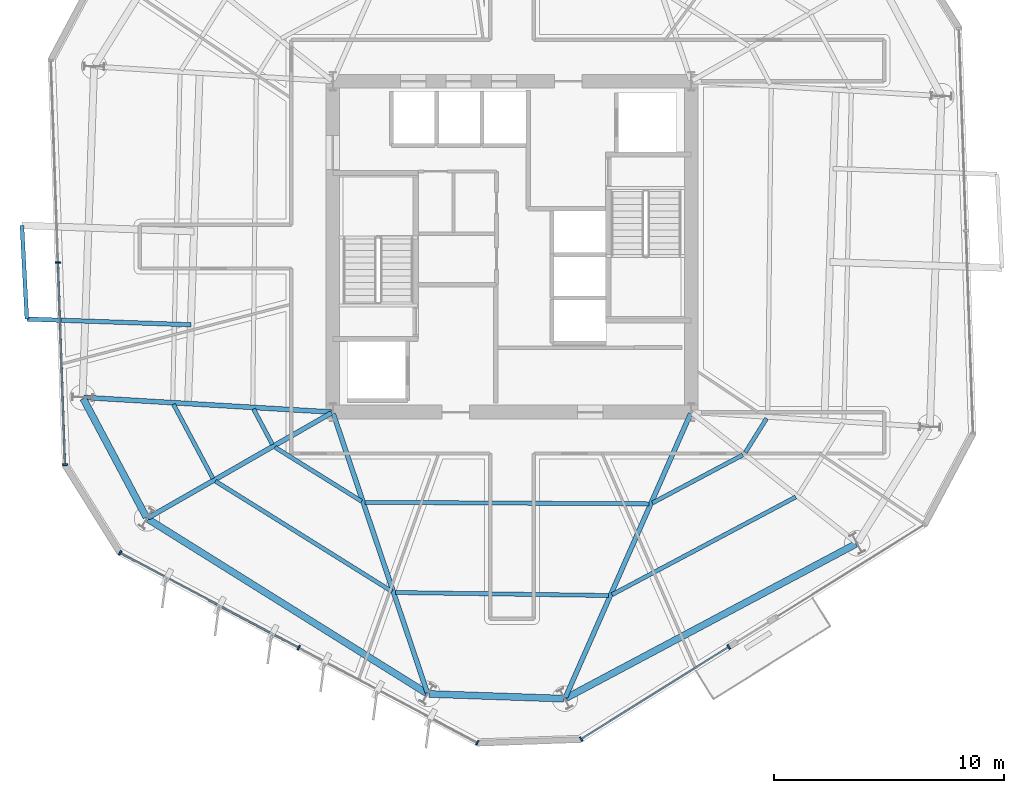
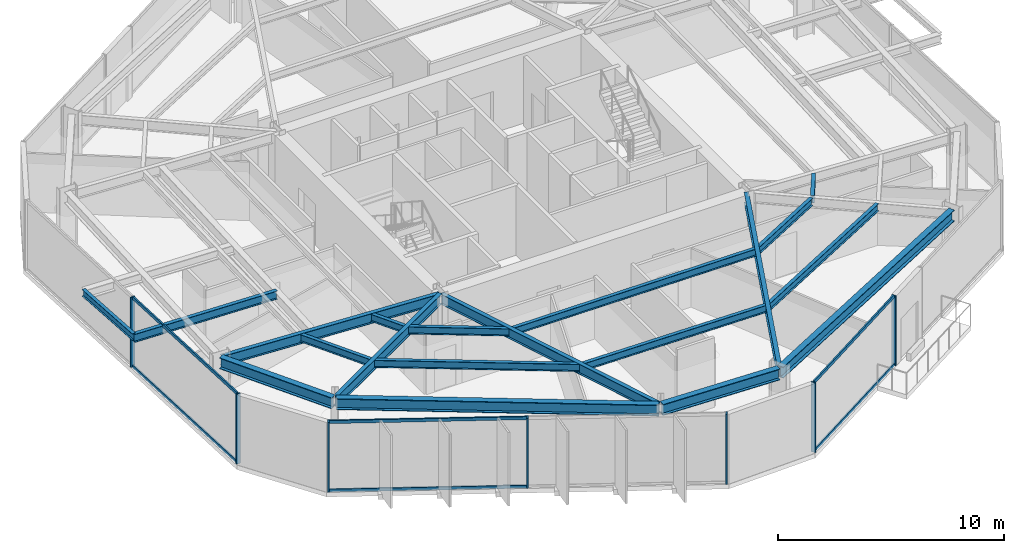
# One storey, part 2 of 12: 19 beams, 13 members, 3 elements without a shape of their own.
"""IFC4 building model written with IfcOpenShell, lengths in metres."""

from ifc_helpers import new_model, si_unit, direction, frame, origin, origin_2d, place, context, subcontext, project, spatial, rectangle, i_section, extrude, material, layer, layer_set, material_profile, profile_set, type_object, element, aggregate, save


model = new_model("IFC4")

# Units and contexts
model_context = context("Model", 3, precision=1e-05, world=origin(), true_north=direction((0.0, 1.0)))
body_context = subcontext(model_context, "Body", "Model", "MODEL_VIEW")
ifc_project = project(units=[si_unit("LENGTHUNIT", "METRE"), si_unit("AREAUNIT", "SQUARE_METRE"), si_unit("VOLUMEUNIT", "CUBIC_METRE"), si_unit("PLANEANGLEUNIT", "RADIAN"), si_unit("MASSUNIT", "GRAM", prefix="KILO")], contexts=[model_context])

# Site, building, storey
site_placement = place(None, origin())
site = spatial("IfcSite", under=ifc_project, at=site_placement, CompositionType="ELEMENT")
building_placement = place(site_placement, origin())
building = spatial("IfcBuilding", under=site, at=building_placement, Name="Kranzbogen Civic Tower", CompositionType="ELEMENT")
storey_placement = place(building_placement, frame((0.0, 0.0, 150.39990234375)))
storey = spatial("IfcBuildingStorey", under=building, at=storey_placement, Name="L36", CompositionType="ELEMENT", Elevation=150.39990234375)

# Beam
ifc_material_1 = material(Name="Steel S355", Category="steel")
ifc_material_profile_1 = material_profile(ifc_material_1, i_section(OverallWidth=0.18994140625, OverallDepth=0.449951171875, WebThickness=0.009521484375, FlangeThickness=0.0146484375, at=origin_2d()), Name="IPE 450")
ifc_profile_set_1 = profile_set([ifc_material_profile_1], Name="Steel S355")
beam_type_1 = type_object("IfcBeamType", Name="Braced Terrace Edge Beam IPE 450", PredefinedType="BEAM", material=ifc_profile_set_1)
beam_1_placement = place(storey_placement, frame((11.02197265625, 21.60205078125, 3.525146484375), z_axis=(-0.99939166053, 0.034875619889, 0.0), x_axis=(-0.034875619889, -0.99939166053, 0.0)))
element("IfcBeam", 1, at=beam_1_placement, inside=storey, type_object=beam_type_1, Name="L37 back-spanned terrace beam L37-TB1-2", PredefinedType="BEAM", context=body_context, shape_type="SweptSolid", body=[
    extrude(i_section(OverallWidth=0.18994140625, OverallDepth=0.449951171875, WebThickness=0.009521484375, FlangeThickness=0.0146484375, at=origin_2d()), origin(), (0.0, 0.0, 1.0), 7.140380859375),
])

# Curtain wall, members
ifc_material_2 = material(Name="Pale Anodised Aluminium", Category="aluminium")
ifc_layer = layer(ifc_material_2, 0.219970703125, Name="Pale Anodised Aluminium")
ifc_layer_set = layer_set([ifc_layer], Name="Pale Anodised Aluminium")
curtain_wall_type = type_object("IfcCurtainWallType", Name="Zone 2 Stick Curtain Wall System CW-03", PredefinedType="USERDEFINED", material=ifc_layer_set)
curtain_wall_1_placement = place(storey_placement, origin())
curtain_wall_1 = element("IfcCurtainWall", 2, at=curtain_wall_1_placement, inside=storey, type_object=curtain_wall_type, Name="L36 curtain wall CW-L36-F3", ObjectType="STICK CURTAIN WALL", PredefinedType="USERDEFINED")
ifc_material_profile_2 = material_profile(ifc_material_2, rectangle(XDim=0.074951171875, YDim=0.219970703125, at=origin_2d()), Name="ALU-M 75x220")
ifc_profile_set_2 = profile_set([ifc_material_profile_2], Name="Pale Anodised Aluminium")
member_type_1 = type_object("IfcMemberType", Name="Curtain Wall Mullion ALU-M 75x220", PredefinedType="MULLION", material=ifc_profile_set_2)
member_1_placement = place(storey_placement, frame((5.239990234375, 24.31005859375, 0.0), z_axis=(0.0, 0.0, 1.0), x_axis=(0.034867774782, -0.999391934269, 0.0)))
member_1 = element("IfcMember", 3, at=member_1_placement, type_object=member_type_1, Name="CW-03 mullion 2", PredefinedType="MULLION", context=body_context, shape_type="SweptSolid", body=[
    extrude(rectangle(XDim=0.074951171875, YDim=0.219970703125, at=origin_2d()), origin(), (0.0, 0.0, 1.0), 3.760009765625),
])
member_2_placement = place(storey_placement, frame((5.546875, 15.511962890625, 0.0), z_axis=(0.0, 0.0, 1.0), x_axis=(0.034867774782, -0.999391934269, 0.0)))
member_2 = element("IfcMember", 4, at=member_2_placement, type_object=member_type_1, Name="CW-03 mullion 3", PredefinedType="MULLION", context=body_context, shape_type="SweptSolid", body=[
    extrude(rectangle(XDim=0.074951171875, YDim=0.219970703125, at=origin_2d()), origin(), (0.0, 0.0, 1.0), 3.760009765625),
])

curtain_wall_2_placement = place(storey_placement, origin())
curtain_wall_2 = element("IfcCurtainWall", 5, at=curtain_wall_2_placement, inside=storey, type_object=curtain_wall_type, Name="L36 curtain wall CW-L36-F4", ObjectType="STICK CURTAIN WALL", PredefinedType="USERDEFINED")
member_3_placement = place(storey_placement, frame((7.943603515625, 11.676025390625, 0.0), z_axis=(0.0, 0.0, 1.0), x_axis=(0.882952257691, -0.469462789408, 0.0)))
member_3 = element("IfcMember", 6, at=member_3_placement, type_object=member_type_1, Name="CW-03 mullion 1", PredefinedType="MULLION", context=body_context, shape_type="SweptSolid", body=[
    extrude(rectangle(XDim=0.074951171875, YDim=0.219970703125, at=origin_2d()), origin(), (0.0, 0.0, 1.0), 3.760009765625),
])
member_4_placement = place(storey_placement, frame((15.717529296875, 7.54248046875, 0.0), z_axis=(0.0, 0.0, 1.0), x_axis=(0.882952257691, -0.469462789408, 0.0)))
member_4 = element("IfcMember", 7, at=member_4_placement, type_object=member_type_1, Name="CW-03 mullion 2", PredefinedType="MULLION", context=body_context, shape_type="SweptSolid", body=[
    extrude(rectangle(XDim=0.074951171875, YDim=0.219970703125, at=origin_2d()), origin(), (0.0, 0.0, 1.0), 3.760009765625),
])
member_5_placement = place(storey_placement, frame((23.491455078125, 3.4091796875, 0.0), z_axis=(0.0, 0.0, 1.0), x_axis=(0.882952257691, -0.469462789408, 0.0)))
member_5 = element("IfcMember", 8, at=member_5_placement, type_object=member_type_1, Name="CW-03 mullion 3", PredefinedType="MULLION", context=body_context, shape_type="SweptSolid", body=[
    extrude(rectangle(XDim=0.074951171875, YDim=0.219970703125, at=origin_2d()), origin(), (0.0, 0.0, 1.0), 3.760009765625),
])

curtain_wall_3_placement = place(storey_placement, origin())
curtain_wall_3 = element("IfcCurtainWall", 9, at=curtain_wall_3_placement, inside=storey, type_object=curtain_wall_type, Name="L36 curtain wall CW-L36-F5-S1", ObjectType="STICK CURTAIN WALL", PredefinedType="USERDEFINED")
member_6_placement = place(storey_placement, frame((28.011474609375, 3.56689453125, 0.0), z_axis=(0.0, 0.0, 1.0), x_axis=(0.84810866373, 0.529822323525, 0.0)))
member_6 = element("IfcMember", 10, at=member_6_placement, type_object=member_type_1, Name="CW-03 mullion 1", PredefinedType="MULLION", context=body_context, shape_type="SweptSolid", body=[
    extrude(rectangle(XDim=0.074951171875, YDim=0.219970703125, at=origin_2d()), origin(), (0.0, 0.0, 1.0), 3.760009765625),
])
member_7_placement = place(storey_placement, frame((34.435546875, 7.580078125, 0.0), z_axis=(0.0, 0.0, 1.0), x_axis=(0.84810866373, 0.529822323525, 0.0)))
member_7 = element("IfcMember", 11, at=member_7_placement, type_object=member_type_1, Name="CW-03 mullion 2", PredefinedType="MULLION", context=body_context, shape_type="SweptSolid", body=[
    extrude(rectangle(XDim=0.074951171875, YDim=0.219970703125, at=origin_2d()), origin(), (0.0, 0.0, 1.0), 3.760009765625),
])

# Member
ifc_material_profile_3 = material_profile(ifc_material_2, rectangle(XDim=0.074951171875, YDim=0.1650390625, at=origin_2d()), Name="ALU-T 75x165")
ifc_profile_set_3 = profile_set([ifc_material_profile_3], Name="Pale Anodised Aluminium")
member_type_2 = type_object("IfcMemberType", Name="Curtain Wall Transom ALU-T 75x165", PredefinedType="USERDEFINED", material=ifc_profile_set_3)
member_8_placement = place(storey_placement, frame((5.240966796875, 24.280029296875, 0.030029296875), z_axis=(0.034875811675, -0.999391653837, 0.0), x_axis=(0.999391653837, 0.034875811675, 0.0)))
member_8 = element("IfcMember", 12, at=member_8_placement, type_object=member_type_2, Name="CW-03 transom 2.1", ObjectType="TRANSOM", PredefinedType="USERDEFINED", context=body_context, shape_type="SweptSolid", body=[
    extrude(rectangle(XDim=0.074951171875, YDim=0.1650390625, at=origin_2d()), origin(), (0.0, 0.0, 1.0), 8.743408203125),
])

member_9_placement = place(storey_placement, frame((5.240966796875, 24.280029296875, 3.72998046875), z_axis=(0.034875811675, -0.999391653837, 0.0), x_axis=(0.999391653837, 0.034875811675, 0.0)))
member_9 = element("IfcMember", 13, at=member_9_placement, type_object=member_type_2, Name="CW-03 transom 2.2", ObjectType="TRANSOM", PredefinedType="USERDEFINED", context=body_context, shape_type="SweptSolid", body=[
    extrude(rectangle(XDim=0.074951171875, YDim=0.1650390625, at=origin_2d()), origin(), (0.0, 0.0, 1.0), 8.743408203125),
])

aggregate(curtain_wall_1, [member_1, member_2, member_8, member_9])

member_10_placement = place(storey_placement, frame((7.969970703125, 11.661865234375, 0.030029296875), z_axis=(0.882951189484, -0.469464798456, 0.0), x_axis=(0.469464798456, 0.882951189484, 0.0)))
member_10 = element("IfcMember", 14, at=member_10_placement, type_object=member_type_2, Name="CW-03 transom 1.1", ObjectType="TRANSOM", PredefinedType="USERDEFINED", context=body_context, shape_type="SweptSolid", body=[
    extrude(rectangle(XDim=0.074951171875, YDim=0.1650390625, at=origin_2d()), origin(), (0.0, 0.0, 1.0), 8.744384765625),
])

member_11_placement = place(storey_placement, frame((7.969970703125, 11.661865234375, 3.72998046875), z_axis=(0.882951189484, -0.469464798456, 0.0), x_axis=(0.469464798456, 0.882951189484, 0.0)))
member_11 = element("IfcMember", 15, at=member_11_placement, type_object=member_type_2, Name="CW-03 transom 1.2", ObjectType="TRANSOM", PredefinedType="USERDEFINED", context=body_context, shape_type="SweptSolid", body=[
    extrude(rectangle(XDim=0.074951171875, YDim=0.1650390625, at=origin_2d()), origin(), (0.0, 0.0, 1.0), 8.744384765625),
])

aggregate(curtain_wall_2, [member_3, member_4, member_5, member_10, member_11])

member_12_placement = place(storey_placement, frame((28.036865234375, 3.582763671875, 0.030029296875), z_axis=(0.848109621938, 0.529820789679, 0.0), x_axis=(-0.529820789679, 0.848109621938, 0.0)))
member_12 = element("IfcMember", 16, at=member_12_placement, type_object=member_type_2, Name="CW-03 transom 1.1", ObjectType="TRANSOM", PredefinedType="USERDEFINED", context=body_context, shape_type="SweptSolid", body=[
    extrude(rectangle(XDim=0.074951171875, YDim=0.1650390625, at=origin_2d()), origin(), (0.0, 0.0, 1.0), 7.5146484375),
])

member_13_placement = place(storey_placement, frame((28.036865234375, 3.582763671875, 3.72998046875), z_axis=(0.848109621938, 0.529820789679, 0.0), x_axis=(-0.529820789679, 0.848109621938, 0.0)))
member_13 = element("IfcMember", 17, at=member_13_placement, type_object=member_type_2, Name="CW-03 transom 1.2", ObjectType="TRANSOM", PredefinedType="USERDEFINED", context=body_context, shape_type="SweptSolid", body=[
    extrude(rectangle(XDim=0.074951171875, YDim=0.1650390625, at=origin_2d()), origin(), (0.0, 0.0, 1.0), 7.5146484375),
])

aggregate(curtain_wall_3, [member_6, member_7, member_12, member_13])

# Beams
ifc_material_profile_4 = material_profile(ifc_material_1, i_section(OverallWidth=0.300048828125, OverallDepth=0.60009765625, WebThickness=0.015380859375, FlangeThickness=0.030029296875, at=origin_2d()), Name="HEB 600")
ifc_profile_set_4 = profile_set([ifc_material_profile_4], Name="Steel S355")
beam_type_2 = type_object("IfcBeamType", Name="Perimeter Tube Spandrel Beam HEB 600", PredefinedType="SPANDREL", material=ifc_profile_set_4)
beam_2_placement = place(storey_placement, frame((6.337890625, 18.39111328125, 3.460205078125), z_axis=(0.469565926668, -0.882897412224, 0.0), x_axis=(0.882897412224, 0.469565926668, 0.0)))
element("IfcBeam", 18, at=beam_2_placement, inside=storey, type_object=beam_type_2, Name="L36 perimeter spandrel beam 01", PredefinedType="SPANDREL", context=body_context, shape_type="SweptSolid", body=[
    extrude(i_section(OverallWidth=0.300048828125, OverallDepth=0.60009765625, WebThickness=0.015380859375, FlangeThickness=0.030029296875, at=origin_2d()), origin(), (0.0, 0.0, 1.0), 5.852294921875),
])
beam_3_placement = place(storey_placement, frame((9.1650390625, 13.138916015625, 3.460205078125), z_axis=(0.848051101349, -0.52991445489, 0.0), x_axis=(0.52991445489, 0.848051101349, 0.0)))
element("IfcBeam", 19, at=beam_3_placement, inside=storey, type_object=beam_type_2, Name="L36 perimeter spandrel beam 02", PredefinedType="SPANDREL", context=body_context, shape_type="SweptSolid", body=[
    extrude(i_section(OverallWidth=0.300048828125, OverallDepth=0.60009765625, WebThickness=0.015380859375, FlangeThickness=0.030029296875, at=origin_2d()), origin(), (0.0, 0.0, 1.0), 14.286865234375),
])
beam_4_placement = place(storey_placement, frame((21.39208984375, 5.533935546875, 3.460205078125), z_axis=(0.999393148233, -0.03483296234, 0.0), x_axis=(0.03483296234, 0.999393148233, 0.0)))
element("IfcBeam", 20, at=beam_4_placement, inside=storey, type_object=beam_type_2, Name="L36 perimeter spandrel beam 03", PredefinedType="SPANDREL", context=body_context, shape_type="SweptSolid", body=[
    extrude(i_section(OverallWidth=0.300048828125, OverallDepth=0.60009765625, WebThickness=0.015380859375, FlangeThickness=0.030029296875, at=origin_2d()), origin(), (0.0, 0.0, 1.0), 5.8525390625),
])
beam_5_placement = place(storey_placement, frame((27.35400390625, 5.35595703125, 3.460205078125), z_axis=(0.882948194046, 0.469470432116, 0.0), x_axis=(-0.469470432116, 0.882948194046, 0.0)))
element("IfcBeam", 21, at=beam_5_placement, inside=storey, type_object=beam_type_2, Name="L36 perimeter spandrel beam 04", PredefinedType="SPANDREL", context=body_context, shape_type="SweptSolid", body=[
    extrude(i_section(OverallWidth=0.300048828125, OverallDepth=0.60009765625, WebThickness=0.015380859375, FlangeThickness=0.030029296875, at=origin_2d()), origin(), (0.0, 0.0, 1.0), 14.28857421875),
])
ifc_material_profile_5 = material_profile(ifc_material_1, i_section(OverallWidth=0.2099609375, OverallDepth=0.550048828125, WebThickness=0.010986328125, FlangeThickness=0.01708984375, at=origin_2d()), Name="IPE 550")
ifc_profile_set_5 = profile_set([ifc_material_profile_5], Name="Steel S355")
beam_type_3 = type_object("IfcBeamType", Name="Radial Tower Floor Girder IPE 550", PredefinedType="BEAM", material=ifc_profile_set_5)
beam_6_placement = place(storey_placement, frame((6.3701171875, 18.43994140625, 3.485107421875), z_axis=(0.998260925387, -0.058950189528, 0.0), x_axis=(0.058950189528, 0.998260925387, 0.0)))
element("IfcBeam", 22, at=beam_6_placement, inside=storey, type_object=beam_type_3, Name="L36 radial floor girder 01", PredefinedType="BEAM", context=body_context, shape_type="SweptSolid", body=[
    extrude(i_section(OverallWidth=0.2099609375, OverallDepth=0.550048828125, WebThickness=0.010986328125, FlangeThickness=0.01708984375, at=origin_2d()), origin(), (0.0, 0.0, 1.0), 10.78857421875),
])
beam_7_placement = place(storey_placement, frame((9.166015625, 13.200927734375, 3.485107421875), z_axis=(0.867868812182, 0.496793442833, 0.0), x_axis=(-0.496793442833, 0.867868812182, 0.0)))
element("IfcBeam", 23, at=beam_7_placement, inside=storey, type_object=beam_type_3, Name="L36 radial floor girder 02", PredefinedType="BEAM", context=body_context, shape_type="SweptSolid", body=[
    extrude(i_section(OverallWidth=0.2099609375, OverallDepth=0.550048828125, WebThickness=0.010986328125, FlangeThickness=0.01708984375, at=origin_2d()), origin(), (0.0, 0.0, 1.0), 9.197265625),
])
beam_8_placement = place(storey_placement, frame((21.31298828125, 5.593017578125, 3.485107421875), z_axis=(-0.319316617377, 0.947648087566, 0.0), x_axis=(-0.947648087566, -0.319316617377, 0.0)))
element("IfcBeam", 24, at=beam_8_placement, inside=storey, type_object=beam_type_3, Name="L36 radial floor girder 03", PredefinedType="BEAM", context=body_context, shape_type="SweptSolid", body=[
    extrude(i_section(OverallWidth=0.2099609375, OverallDepth=0.550048828125, WebThickness=0.010986328125, FlangeThickness=0.01708984375, at=origin_2d()), origin(), (0.0, 0.0, 1.0), 12.821044921875),
])
beam_9_placement = place(storey_placement, frame((27.324951171875, 5.383056640625, 3.485107421875), z_axis=(0.403459127705, 0.914997667905, 0.0), x_axis=(-0.914997667905, 0.403459127705, 0.0)))
element("IfcBeam", 25, at=beam_9_placement, inside=storey, type_object=beam_type_3, Name="L36 radial floor girder 04", PredefinedType="BEAM", context=body_context, shape_type="SweptSolid", body=[
    extrude(i_section(OverallWidth=0.2099609375, OverallDepth=0.550048828125, WebThickness=0.010986328125, FlangeThickness=0.01708984375, at=origin_2d()), origin(), (0.0, 0.0, 1.0), 13.510498046875),
])
ifc_material_profile_6 = material_profile(ifc_material_1, i_section(OverallWidth=0.169921875, OverallDepth=0.360107421875, WebThickness=0.008056640625, FlangeThickness=0.0126953125, at=origin_2d()), Name="IPE 360")
ifc_profile_set_6 = profile_set([ifc_material_profile_6], Name="Steel S355")
beam_type_4 = type_object("IfcBeamType", Name="Secondary Composite Floor Joist IPE 360", PredefinedType="JOIST", material=ifc_profile_set_6)
beam_10_placement = place(storey_placement, frame((3.672119140625, 25.926025390625, 3.570068359375), z_axis=(0.052411240412, -0.998625586433, 0.0), x_axis=(0.998625586433, 0.052411240412, 0.0)))
element("IfcBeam", 26, at=beam_10_placement, inside=storey, type_object=beam_type_4, Name="L37 terrace outer edge trimmer L37-TB1", PredefinedType="JOIST", context=body_context, shape_type="SweptSolid", body=[
    extrude(i_section(OverallWidth=0.169921875, OverallDepth=0.360107421875, WebThickness=0.008056640625, FlangeThickness=0.0126953125, at=origin_2d()), origin(), (0.0, 0.0, 1.0), 4.08056640625),
])
ifc_material_profile_7 = material_profile(ifc_material_1, i_section(OverallWidth=0.179931640625, OverallDepth=0.39990234375, WebThickness=0.008544921875, FlangeThickness=0.013427734375, at=origin_2d()), Name="IPE 400")
ifc_profile_set_7 = profile_set([ifc_material_profile_7], Name="Steel S355")
beam_type_5 = type_object("IfcBeamType", Name="Secondary Composite Floor Joist IPE 400", PredefinedType="JOIST", material=ifc_profile_set_7)
beam_11_placement = place(storey_placement, frame((10.26806640625, 18.14208984375, 3.56005859375), z_axis=(0.469338791783, -0.88301817565, 0.0), x_axis=(0.88301817565, 0.469338791783, 0.0)))
element("IfcBeam", 27, at=beam_11_placement, inside=storey, type_object=beam_type_5, Name="L36 secondary floor joist 1.01", PredefinedType="JOIST", context=body_context, shape_type="SweptSolid", body=[
    extrude(i_section(OverallWidth=0.179931640625, OverallDepth=0.39990234375, WebThickness=0.008544921875, FlangeThickness=0.013427734375, at=origin_2d()), origin(), (0.0, 0.0, 1.0), 3.66259765625),
])
beam_12_placement = place(storey_placement, frame((13.7529296875, 17.93505859375, 3.56005859375), z_axis=(0.46943723363, -0.882965845139, 0.0), x_axis=(0.882965845139, 0.46943723363, 0.0)))
element("IfcBeam", 28, at=beam_12_placement, inside=storey, type_object=beam_type_5, Name="L36 secondary floor joist 2.01", PredefinedType="JOIST", context=body_context, shape_type="SweptSolid", body=[
    extrude(i_section(OverallWidth=0.179931640625, OverallDepth=0.39990234375, WebThickness=0.008544921875, FlangeThickness=0.013427734375, at=origin_2d()), origin(), (0.0, 0.0, 1.0), 1.7509765625),
])
beam_13_placement = place(storey_placement, frame((12.093017578125, 14.794921875, 3.56005859375), z_axis=(0.848025549308, -0.529955345026, 0.0), x_axis=(0.529955345026, 0.848025549308, 0.0)))
element("IfcBeam", 29, at=beam_13_placement, inside=storey, type_object=beam_type_5, Name="L36 secondary floor joist 1.02", PredefinedType="JOIST", context=body_context, shape_type="SweptSolid", body=[
    extrude(i_section(OverallWidth=0.179931640625, OverallDepth=0.39990234375, WebThickness=0.008544921875, FlangeThickness=0.013427734375, at=origin_2d()), origin(), (0.0, 0.0, 1.0), 9.06103515625),
])
beam_14_placement = place(storey_placement, frame((14.679931640625, 16.27587890625, 3.56005859375), z_axis=(0.848093834398, -0.529846060716, 0.0), x_axis=(0.529846060716, 0.848093834398, 0.0)))
element("IfcBeam", 30, at=beam_14_placement, inside=storey, type_object=beam_type_5, Name="L36 secondary floor joist 2.02", PredefinedType="JOIST", context=body_context, shape_type="SweptSolid", body=[
    extrude(i_section(OverallWidth=0.179931640625, OverallDepth=0.39990234375, WebThickness=0.008544921875, FlangeThickness=0.013427734375, at=origin_2d()), origin(), (0.0, 0.0, 1.0), 4.4501953125),
])
beam_15_placement = place(storey_placement, frame((19.924072265625, 9.949951171875, 3.56005859375), z_axis=(0.999900525148, -0.014104602386, 0.0), x_axis=(0.014104602386, 0.999900525148, 0.0)))
element("IfcBeam", 31, at=beam_15_placement, inside=storey, type_object=beam_type_5, Name="L36 secondary floor joist 1.03", PredefinedType="JOIST", context=body_context, shape_type="SweptSolid", body=[
    extrude(i_section(OverallWidth=0.179931640625, OverallDepth=0.39990234375, WebThickness=0.008544921875, FlangeThickness=0.013427734375, at=origin_2d()), origin(), (0.0, 0.0, 1.0), 9.27783203125),
])
beam_16_placement = place(storey_placement, frame((18.60205078125, 13.875, 3.56005859375), z_axis=(0.999985774147, -0.005333995002, 0.0), x_axis=(0.005333995002, 0.999985774147, 0.0)))
element("IfcBeam", 32, at=beam_16_placement, inside=storey, type_object=beam_type_5, Name="L36 secondary floor joist 2.03", PredefinedType="JOIST", context=body_context, shape_type="SweptSolid", body=[
    extrude(i_section(OverallWidth=0.179931640625, OverallDepth=0.39990234375, WebThickness=0.008544921875, FlangeThickness=0.013427734375, at=origin_2d()), origin(), (0.0, 0.0, 1.0), 12.358154296875),
])
beam_17_placement = place(storey_placement, frame((29.35107421875, 9.85498046875, 3.56005859375), z_axis=(0.882960787661, 0.469446746131, 0.0), x_axis=(-0.469446746131, 0.882960787661, 0.0)))
element("IfcBeam", 33, at=beam_17_placement, inside=storey, type_object=beam_type_5, Name="L36 secondary floor joist 1.04", PredefinedType="JOIST", context=body_context, shape_type="SweptSolid", body=[
    extrude(i_section(OverallWidth=0.179931640625, OverallDepth=0.39990234375, WebThickness=0.008544921875, FlangeThickness=0.013427734375, at=origin_2d()), origin(), (0.0, 0.0, 1.0), 9.0615234375),
])
beam_18_placement = place(storey_placement, frame((31.111083984375, 13.846923828125, 3.56005859375), z_axis=(0.882991399158, 0.469389165844, 0.0), x_axis=(-0.469389165844, 0.882991399158, 0.0)))
element("IfcBeam", 34, at=beam_18_placement, inside=storey, type_object=beam_type_5, Name="L36 secondary floor joist 2.04", PredefinedType="JOIST", context=body_context, shape_type="SweptSolid", body=[
    extrude(i_section(OverallWidth=0.179931640625, OverallDepth=0.39990234375, WebThickness=0.008544921875, FlangeThickness=0.013427734375, at=origin_2d()), origin(), (0.0, 0.0, 1.0), 4.45068359375),
])
beam_19_placement = place(storey_placement, frame((35.154052734375, 16.041015625, 3.56005859375), z_axis=(0.529572623603, 0.84826460278, 0.0), x_axis=(-0.84826460278, 0.529572623603, 0.0)))
element("IfcBeam", 35, at=beam_19_placement, inside=storey, type_object=beam_type_5, Name="L36 secondary floor joist 2.05", PredefinedType="JOIST", context=body_context, shape_type="SweptSolid", body=[
    extrude(i_section(OverallWidth=0.179931640625, OverallDepth=0.39990234375, WebThickness=0.008544921875, FlangeThickness=0.013427734375, at=origin_2d()), origin(), (0.0, 0.0, 1.0), 1.75048828125),
])

save(model, "model.ifc")
